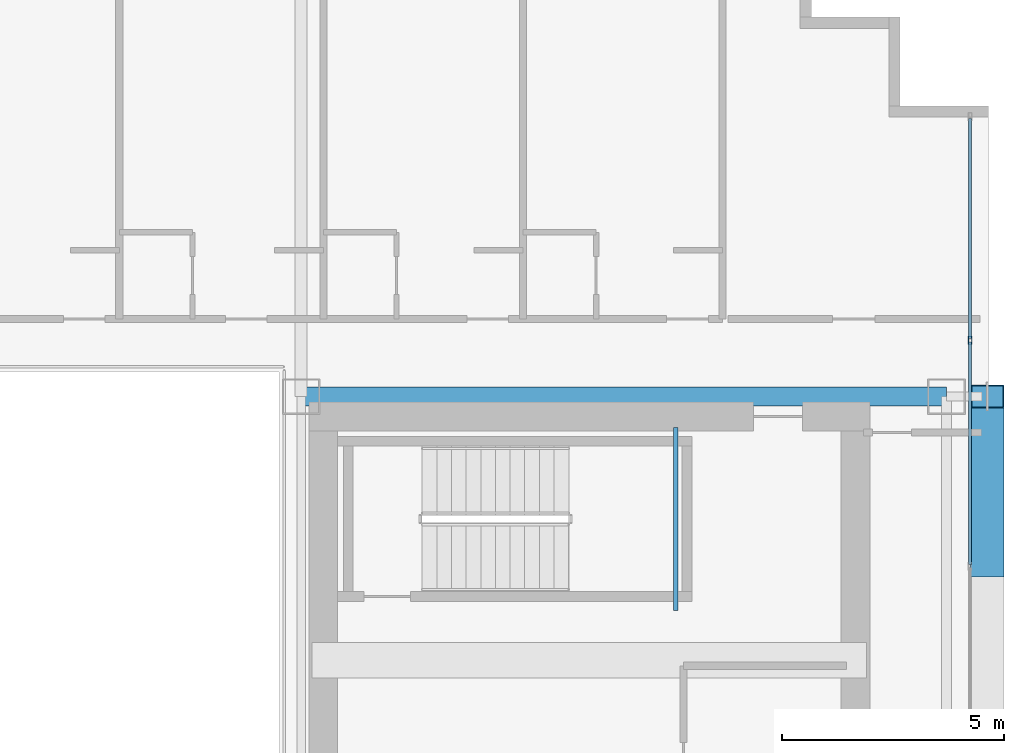
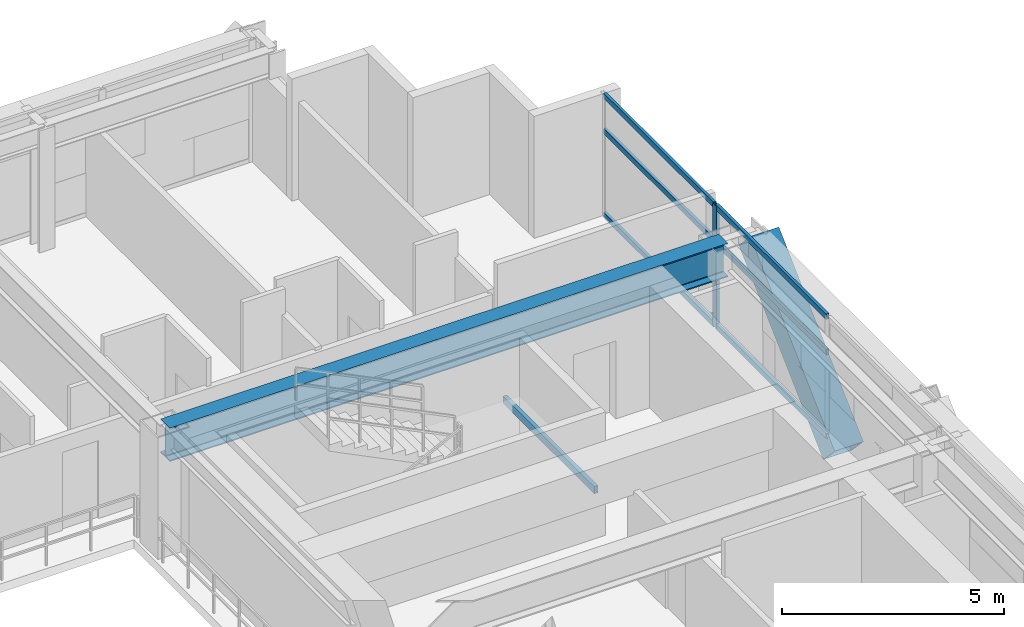
# One storey, part 20 of 36: 8 members, 2 beams, 1 element without a shape of its own.
"""IFC4 building model written with IfcOpenShell, lengths in metres."""

from ifc_helpers import new_model, si_unit, direction, frame, origin, origin_2d, place, context, subcontext, project, spatial, hollow_rectangle, i_section, extrude, source, transform, mapped, material, layer, layer_set, material_profile, profile_set, type_object, element, aggregate, save


model = new_model("IFC4")

# Units and contexts
model_context = context("Model", 3, precision=1e-05, world=origin(), true_north=direction((0.0, 1.0)))
body_context = subcontext(model_context, "Body", "Model", "MODEL_VIEW")
ifc_project = project(units=[si_unit("LENGTHUNIT", "METRE"), si_unit("AREAUNIT", "SQUARE_METRE"), si_unit("VOLUMEUNIT", "CUBIC_METRE"), si_unit("PLANEANGLEUNIT", "RADIAN"), si_unit("MASSUNIT", "GRAM", prefix="KILO")], contexts=[model_context])

# Site, building, storey
site_placement = place(None, origin())
site = spatial("IfcSite", under=ifc_project, at=site_placement, CompositionType="ELEMENT")
building_placement = place(site_placement, origin())
building = spatial("IfcBuilding", under=site, at=building_placement, Name="Ocotamira Hotel", CompositionType="ELEMENT")
storey_placement = place(building_placement, frame((0.0, 0.0, 136.800048828125)))
storey = spatial("IfcBuildingStorey", under=building, at=storey_placement, Name="L34", CompositionType="ELEMENT", Elevation=136.800048828125)

# Beams
ifc_material_1 = material(Name="Steel ASTM A500 Grade C", Category="steel")
ifc_material_profile_1 = material_profile(ifc_material_1, hollow_rectangle(XDim=0.10009765625, YDim=0.199951171875, WallThickness=0.008056640625, at=origin_2d()), Name="HSS200X100X8")
ifc_profile_set_1 = profile_set([ifc_material_profile_1], Name="Steel ASTM A500 Grade C")
beam_type_1 = type_object("IfcBeamType", Name="BM-STLDG-HSS200", PredefinedType="BEAM", material=ifc_profile_set_1)
shared_shape_1 = source(origin(), body_context, "Body", "SweptSolid", [
    extrude(hollow_rectangle(XDim=0.10009765625, YDim=0.199951171875, WallThickness=0.008056640625, at=origin_2d()), origin(), (0.0, 0.0, 1.0), 4.1201171875),
])
beam_1_placement = place(storey_placement, frame((48.949951171875, 32.6298828125, 1.5), z_axis=(0.0, 1.0, 0.0), x_axis=(-1.0, 0.0, 0.0)))
element("IfcBeam", 1, at=beam_1_placement, inside=storey, type_object=beam_type_1, Name="L34 Stair ST-4 Landing Bearer 1", PredefinedType="BEAM", context=body_context, shape_type="MappedRepresentation", body=[
    mapped(shared_shape_1, transform((0.0, 0.0, 0.0), scale=1.0)),
])
ifc_material_2 = material(Name="Steel ASTM A992 Grade 50", Category="steel")
ifc_material_profile_2 = material_profile(ifc_material_2, i_section(OverallWidth=0.41796875, OverallDepth=0.927001953125, WebThickness=0.019287109375, FlangeThickness=0.031982421875, FilletRadius=0.02392578125, at=origin_2d()), Name="W36X231")
ifc_profile_set_2 = profile_set([ifc_material_profile_2], Name="Steel ASTM A992 Grade 50")
beam_type_2 = type_object("IfcBeamType", Name="BM-GIRD-W36X231", PredefinedType="BEAM", material=ifc_profile_set_2)
shared_shape_2 = source(origin(), body_context, "Body", "SweptSolid", [
    extrude(i_section(OverallWidth=0.41796875, OverallDepth=0.927001953125, WebThickness=0.019287109375, FlangeThickness=0.031982421875, FilletRadius=0.02392578125, at=origin_2d()), origin(), (0.0, 0.0, 1.0), 14.550048828125),
])
beam_2_placement = place(storey_placement, frame((40.5, 37.449951171875, 2.896484375), z_axis=(1.0, 0.0, 0.0), x_axis=(0.0, 1.0, 0.0)))
element("IfcBeam", 2, at=beam_2_placement, inside=storey, type_object=beam_type_2, Name="L34 Girder Y37.45 X40.5-55.05", PredefinedType="BEAM", context=body_context, shape_type="MappedRepresentation", body=[
    mapped(shared_shape_2, transform((0.0, 0.0, 0.0), scale=1.0)),
])

# Member
ifc_material_3 = material(Name="Pale-metal coated steel ASTM A913 Grade 65", Category="steel")
ifc_material_profile_3 = material_profile(ifc_material_3, hollow_rectangle(XDim=0.75, YDim=0.75, WallThickness=0.028076171875, at=origin_2d()), Name="BOX750X750X28")
ifc_profile_set_3 = profile_set([ifc_material_profile_3], Name="Pale-metal coated steel ASTM A913 Grade 65")
member_type_1 = type_object("IfcMemberType", Name="MEM-EXO-BOX750", PredefinedType="BRACE", material=ifc_profile_set_3)
shared_shape_3 = source(origin(), body_context, "Body", "SweptSolid", [
    extrude(hollow_rectangle(XDim=0.75, YDim=0.75, WallThickness=0.028076171875, at=origin_2d()), origin(), (0.0, 0.0, 1.0), 5.24658203125),
])
member_1_placement = place(storey_placement, frame((55.969970703125, 33.63330078125, -0.489990234375), z_axis=(0.0, 0.72746596067, 0.686143772154), x_axis=(-1.0, 0.0, 0.0)))
element("IfcMember", 3, at=member_1_placement, inside=storey, type_object=member_type_1, Name="L34 Exoskeleton Diagrid E2.2", PredefinedType="BRACE", context=body_context, shape_type="MappedRepresentation", body=[
    mapped(shared_shape_3, transform((0.0, 0.0, 0.0), scale=1.0)),
])

# Curtain wall, members
ifc_material_4 = material(Name="Anodised pale-metal aluminium and solar glass", Category="aluminium")
ifc_layer = layer(ifc_material_4, 0.179931640625)
ifc_layer_set = layer_set([ifc_layer], Name="Anodised pale-metal aluminium and solar glass")
curtain_wall_type = type_object("IfcCurtainWallType", Name="CW-SYS3-Z2", PredefinedType="NOTDEFINED", material=ifc_layer_set)
curtain_wall_placement = place(storey_placement, origin())
curtain_wall = element("IfcCurtainWall", 4, at=curtain_wall_placement, inside=storey, type_object=curtain_wall_type, Name="L34 Curtain Wall CW-3 CW-L34-E", PredefinedType="NOTDEFINED")
ifc_material_5 = material(Name="Anodised pale-metal aluminium 6063-T6", Category="aluminium")
ifc_material_profile_4 = material_profile(ifc_material_5, hollow_rectangle(XDim=0.074951171875, YDim=0.14990234375, WallThickness=0.006103515625, at=origin_2d()), Name="HSS150X75X6")
ifc_profile_set_4 = profile_set([ifc_material_profile_4], Name="Anodised pale-metal aluminium 6063-T6")
member_type_2 = type_object("IfcMemberType", Name="CWT-150X75", PredefinedType="USERDEFINED", material=ifc_profile_set_4)
shared_shape_4 = source(origin(), body_context, "Body", "SweptSolid", [
    extrude(hollow_rectangle(XDim=0.074951171875, YDim=0.14990234375, WallThickness=0.006103515625, at=origin_2d()), origin(), (0.0, 0.0, 1.0), 4.965576171875),
])
member_2_placement = place(storey_placement, frame((55.580078125, 38.75439453125, 0.037353515625), z_axis=(0.0, 1.0, 0.0), x_axis=(-1.0, 0.0, 0.0)))
member_2 = element("IfcMember", 5, at=member_2_placement, type_object=member_type_2, Name="CW-3 transom 7.1", ObjectType="TRANSOM", PredefinedType="USERDEFINED", context=body_context, shape_type="MappedRepresentation", body=[
    mapped(shared_shape_4, transform((0.0, 0.0, 0.0), scale=1.0)),
])
member_3_placement = place(storey_placement, frame((55.580078125, 38.75439453125, 2.349853515625), z_axis=(0.0, 1.0, 0.0), x_axis=(-1.0, 0.0, 0.0)))
member_3 = element("IfcMember", 6, at=member_3_placement, type_object=member_type_2, Name="CW-3 transom 7.2", ObjectType="TRANSOM", PredefinedType="USERDEFINED", context=body_context, shape_type="MappedRepresentation", body=[
    mapped(shared_shape_4, transform((0.0, 0.0, 0.0), scale=1.0)),
])
member_4_placement = place(storey_placement, frame((55.580078125, 38.75439453125, 3.322509765625), z_axis=(0.0, 1.0, 0.0), x_axis=(-1.0, 0.0, 0.0)))
member_4 = element("IfcMember", 7, at=member_4_placement, type_object=member_type_2, Name="CW-3 transom 7.3", ObjectType="TRANSOM", PredefinedType="USERDEFINED", context=body_context, shape_type="MappedRepresentation", body=[
    mapped(shared_shape_4, transform((0.0, 0.0, 0.0), scale=1.0)),
])
shared_shape_5 = source(origin(), body_context, "Body", "SweptSolid", [
    extrude(hollow_rectangle(XDim=0.074951171875, YDim=0.14990234375, WallThickness=0.006103515625, at=origin_2d()), origin(), (0.0, 0.0, 1.0), 5.005859375),
])
member_5_placement = place(storey_placement, frame((55.580078125, 33.66845703125, 0.037353515625), z_axis=(0.0, 1.0, 0.0), x_axis=(-1.0, 0.0, 0.0)))
member_5 = element("IfcMember", 8, at=member_5_placement, type_object=member_type_2, Name="CW-3 transom 6.1", ObjectType="TRANSOM", PredefinedType="USERDEFINED", context=body_context, shape_type="MappedRepresentation", body=[
    mapped(shared_shape_5, transform((0.0, 0.0, 0.0), scale=1.0)),
])
member_6_placement = place(storey_placement, frame((55.580078125, 33.66845703125, 2.349853515625), z_axis=(0.0, 1.0, 0.0), x_axis=(-1.0, 0.0, 0.0)))
member_6 = element("IfcMember", 9, at=member_6_placement, type_object=member_type_2, Name="CW-3 transom 6.2", ObjectType="TRANSOM", PredefinedType="USERDEFINED", context=body_context, shape_type="MappedRepresentation", body=[
    mapped(shared_shape_5, transform((0.0, 0.0, 0.0), scale=1.0)),
])
member_7_placement = place(storey_placement, frame((55.580078125, 33.66845703125, 3.322509765625), z_axis=(0.0, 1.0, 0.0), x_axis=(-1.0, 0.0, 0.0)))
member_7 = element("IfcMember", 10, at=member_7_placement, type_object=member_type_2, Name="CW-3 transom 6.3", ObjectType="TRANSOM", PredefinedType="USERDEFINED", context=body_context, shape_type="MappedRepresentation", body=[
    mapped(shared_shape_5, transform((0.0, 0.0, 0.0), scale=1.0)),
])
ifc_material_profile_5 = material_profile(ifc_material_5, hollow_rectangle(XDim=0.080078125, YDim=0.179931640625, WallThickness=0.006103515625, at=origin_2d()), Name="HSS180X80X6")
ifc_profile_set_5 = profile_set([ifc_material_profile_5], Name="Anodised pale-metal aluminium 6063-T6")
member_type_3 = type_object("IfcMemberType", Name="CWM-180X75", PredefinedType="MULLION", material=ifc_profile_set_5)
shared_shape_6 = source(origin(), body_context, "Body", "SweptSolid", [
    extrude(hollow_rectangle(XDim=0.080078125, YDim=0.179931640625, WallThickness=0.006103515625, at=origin_2d()), origin(), (0.0, 0.0, 1.0), 3.35986328125),
])
member_8_placement = place(storey_placement, frame((55.580078125, 38.71435546875, 0.0), z_axis=(0.0, 0.0, 1.0), x_axis=(-1.0, 0.0, 0.0)))
member_8 = element("IfcMember", 11, at=member_8_placement, type_object=member_type_3, Name="CW-3 mullion 7", PredefinedType="MULLION", context=body_context, shape_type="MappedRepresentation", body=[
    mapped(shared_shape_6, transform((0.0, 0.0, 0.0), scale=1.0)),
])
aggregate(curtain_wall, [member_8, member_5, member_6, member_7, member_2, member_3, member_4])

save(model, "model.ifc")
